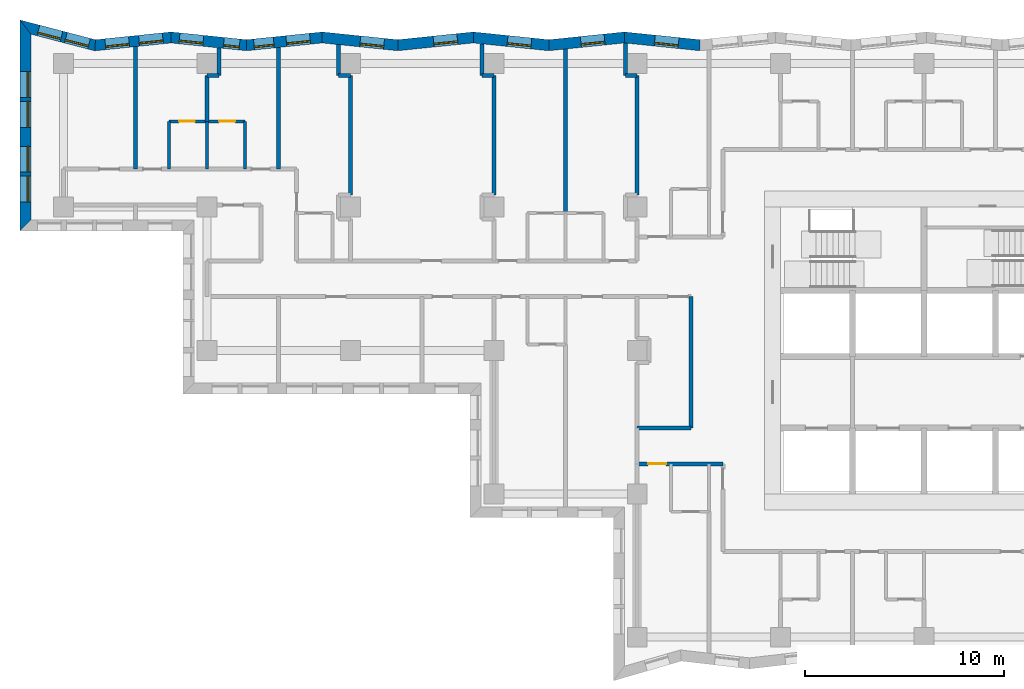
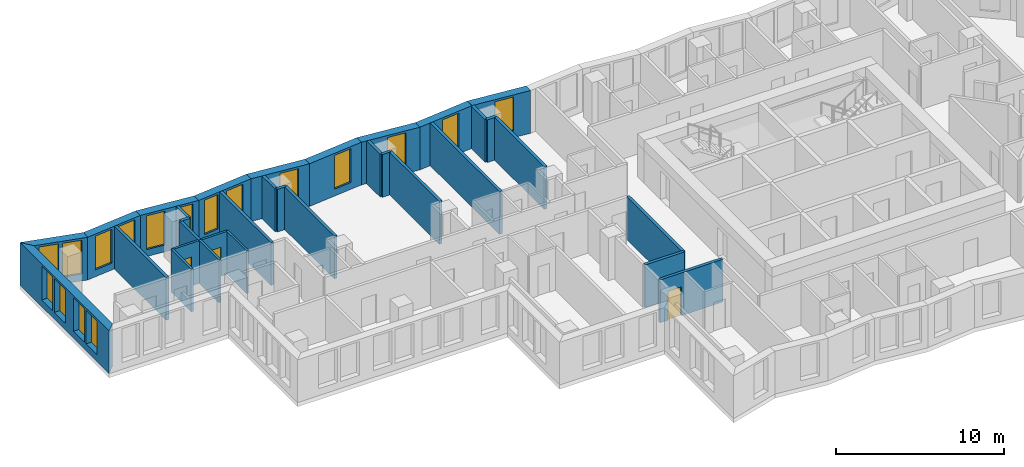
# One storey, part 5 of 13: 32 walls, 17 windows, 3 doors, 20 openings.
"""IFC4 building model written with IfcOpenShell, lengths in metres."""

from ifc_helpers import new_model, si_unit, direction, frame, frame_2d, origin, place, context, subcontext, project, spatial, polyline, rectangle, outline, extrude, material, layer, layer_set, type_object, element, fill, save


model = new_model("IFC4")

# Units and contexts
model_context = context("Model", 3, precision=1e-05, world=origin(), true_north=direction((0.0, 1.0)))
body_context = subcontext(model_context, "Body", "Model", "MODEL_VIEW")
ifc_project = project(units=[si_unit("LENGTHUNIT", "METRE"), si_unit("AREAUNIT", "SQUARE_METRE"), si_unit("VOLUMEUNIT", "CUBIC_METRE"), si_unit("PLANEANGLEUNIT", "RADIAN"), si_unit("MASSUNIT", "GRAM", prefix="KILO")], contexts=[model_context])

# Site, building, storey
site_placement = place(None, origin())
site = spatial("IfcSite", under=ifc_project, at=site_placement, CompositionType="ELEMENT")
building_placement = place(site_placement, origin())
building = spatial("IfcBuilding", under=site, at=building_placement, Name="Windrow Commons", CompositionType="ELEMENT")
storey_placement = place(building_placement, frame((0.0, 0.0, 91.4)))
storey = spatial("IfcBuildingStorey", under=building, at=storey_placement, Name="L24", CompositionType="ELEMENT", Elevation=91.4)

# Wall, opening, window
ifc_material_1 = material(Name="Brick masonry, red clay brick", Category="masonry")
ifc_layer_1 = layer(ifc_material_1, 0.55)
ifc_layer_set_1 = layer_set([ifc_layer_1], Name="Brick facade wall 550")
wall_type_1 = type_object("IfcWallType", Name="Brick facade wall 550", PredefinedType="SOLIDWALL", material=ifc_layer_set_1)
wall_1_placement = place(storey_placement, frame((53.552, 72.9235, 0.0), z_axis=(0.0, 0.0, 1.0), x_axis=(-0.9947306832, 0.1025225234, 0.0)))
wall_1 = element("IfcWall", 1, at=wall_1_placement, inside=storey, type_object=wall_type_1, Name="Brick facade wall L24 28", PredefinedType="SOLIDWALL", context=body_context, shape_type="SweptSolid", body=[
    extrude(outline(polyline([(0.0283, -0.275), (3.8421, -0.275), (3.7854, 0.275), (-0.0283, 0.275), (0.0283, -0.275)])), origin(), (0.0, 0.0, 1.0), 3.1),
])
opening_1_placement = place(wall_1_placement, frame((1.0843, 0.0, 0.5)))
opening_1 = element("IfcOpeningElement", 2, at=opening_1_placement, cuts=wall_1, Name="Opening W7D", PredefinedType="OPENING", context=body_context, shape_type="SweptSolid", body=[
    extrude(rectangle(XDim=1.2, YDim=2.45, at=frame_2d((0.6, 1.225))), frame((0.0, 0.285, 0.0), z_axis=(0.0, -1.0, 0.0), x_axis=(1.0, 0.0, 0.0)), (0.0, 0.0, 1.0), 0.57),
])
ifc_material_2 = material(Name="Clear float glass in anodised aluminium frame", Category="aluminium")
window_type_1 = type_object("IfcWindowType", Name="Window W7 notch 1200x2450", PartitioningType="SINGLE_PANEL", PredefinedType="WINDOW", material=ifc_material_2)
window_1_placement = place(opening_1_placement, origin())
window_1 = element("IfcWindow", 3, at=window_1_placement, inside=storey, type_object=window_type_1, Name="Window L24 28.1", OverallHeight=2.45, OverallWidth=1.2, PartitioningType="SINGLE_PANEL", PredefinedType="WINDOW", context=body_context, shape_type="SweptSolid", body=[
    extrude(rectangle(XDim=1.2, YDim=2.45, at=frame_2d((0.6, 1.225))), frame((0.0, 0.155, 0.0), z_axis=(0.0, -1.0, 0.0), x_axis=(1.0, 0.0, 0.0)), (0.0, 0.0, 1.0), 0.06),
])
fill(opening_1, window_1)

wall_2_placement = place(storey_placement, frame((49.7583, 73.3145, 0.0), z_axis=(0.0, 0.0, 1.0), x_axis=(-0.9947306832, -0.1025225234, 0.0)))
wall_2 = element("IfcWall", 4, at=wall_2_placement, inside=storey, type_object=wall_type_1, Name="Brick facade wall L24 29", PredefinedType="SOLIDWALL", context=body_context, shape_type="SweptSolid", body=[
    extrude(outline(polyline([(-0.0283, -0.275), (3.7854, -0.275), (3.8421, 0.275), (0.0283, 0.275), (-0.0283, -0.275)])), origin(), (0.0, 0.0, 1.0), 3.1),
])
opening_2_placement = place(wall_2_placement, frame((1.0012, 0.0, 0.5)))
opening_2 = element("IfcOpeningElement", 5, at=opening_2_placement, cuts=wall_2, Name="Opening W7D", PredefinedType="OPENING", context=body_context, shape_type="SweptSolid", body=[
    extrude(rectangle(XDim=1.2, YDim=2.45, at=frame_2d((0.6, 1.225))), frame((0.0, 0.285, 0.0), z_axis=(0.0, -1.0, 0.0), x_axis=(1.0, 0.0, 0.0)), (0.0, 0.0, 1.0), 0.57),
])
window_2_placement = place(opening_2_placement, origin())
window_2 = element("IfcWindow", 6, at=window_2_placement, inside=storey, type_object=window_type_1, Name="Window L24 29.1", OverallHeight=2.45, OverallWidth=1.2, PartitioningType="SINGLE_PANEL", PredefinedType="WINDOW", context=body_context, shape_type="SweptSolid", body=[
    extrude(rectangle(XDim=1.2, YDim=2.45, at=frame_2d((0.6, 1.225))), frame((0.0, 0.155, 0.0), z_axis=(0.0, -1.0, 0.0), x_axis=(1.0, 0.0, 0.0)), (0.0, 0.0, 1.0), 0.06),
])
fill(opening_2, window_2)

wall_3_placement = place(storey_placement, frame((45.9646, 72.9235, 0.0), z_axis=(0.0, 0.0, 1.0), x_axis=(-0.9947304076, 0.1025251975, 0.0)))
wall_3 = element("IfcWall", 7, at=wall_3_placement, inside=storey, type_object=wall_type_1, Name="Brick facade wall L24 30", PredefinedType="SOLIDWALL", context=body_context, shape_type="SweptSolid", body=[
    extrude(outline(polyline([(0.0283, -0.275), (3.8421, -0.275), (3.7854, 0.275), (-0.0283, 0.275), (0.0283, -0.275)])), origin(), (0.0, 0.0, 1.0), 3.1),
])
opening_3_placement = place(wall_3_placement, frame((0.8896, 0.0, 0.5)))
opening_3 = element("IfcOpeningElement", 8, at=opening_3_placement, cuts=wall_3, Name="Opening W7D", PredefinedType="OPENING", context=body_context, shape_type="SweptSolid", body=[
    extrude(rectangle(XDim=1.2, YDim=2.45, at=frame_2d((0.6, 1.225))), frame((0.0, 0.285, 0.0), z_axis=(0.0, -1.0, 0.0), x_axis=(1.0, 0.0, 0.0)), (0.0, 0.0, 1.0), 0.57),
])
window_3_placement = place(opening_3_placement, origin())
window_3 = element("IfcWindow", 9, at=window_3_placement, inside=storey, type_object=window_type_1, Name="Window L24 30.1", OverallHeight=2.45, OverallWidth=1.2, PartitioningType="SINGLE_PANEL", PredefinedType="WINDOW", context=body_context, shape_type="SweptSolid", body=[
    extrude(rectangle(XDim=1.2, YDim=2.45, at=frame_2d((0.6, 1.225))), frame((0.0, 0.155, 0.0), z_axis=(0.0, -1.0, 0.0), x_axis=(1.0, 0.0, 0.0)), (0.0, 0.0, 1.0), 0.06),
])
fill(opening_3, window_3)

wall_4_placement = place(storey_placement, frame((42.171, 73.3145, 0.0), z_axis=(0.0, 0.0, 1.0), x_axis=(-0.9947306832, -0.1025225234, 0.0)))
wall_4 = element("IfcWall", 10, at=wall_4_placement, inside=storey, type_object=wall_type_1, Name="Brick facade wall L24 31", PredefinedType="SOLIDWALL", context=body_context, shape_type="SweptSolid", body=[
    extrude(outline(polyline([(-0.0283, -0.275), (3.7854, -0.275), (3.8421, 0.275), (0.0283, 0.275), (-0.0283, -0.275)])), origin(), (0.0, 0.0, 1.0), 3.1),
])
opening_4_placement = place(wall_4_placement, frame((0.8065, 0.0, 0.5)))
opening_4 = element("IfcOpeningElement", 11, at=opening_4_placement, cuts=wall_4, Name="Opening W7D", PredefinedType="OPENING", context=body_context, shape_type="SweptSolid", body=[
    extrude(rectangle(XDim=1.2, YDim=2.45, at=frame_2d((0.6, 1.225))), frame((0.0, 0.285, 0.0), z_axis=(0.0, -1.0, 0.0), x_axis=(1.0, 0.0, 0.0)), (0.0, 0.0, 1.0), 0.57),
])
window_4_placement = place(opening_4_placement, origin())
window_4 = element("IfcWindow", 12, at=window_4_placement, inside=storey, type_object=window_type_1, Name="Window L24 31.1", OverallHeight=2.45, OverallWidth=1.2, PartitioningType="SINGLE_PANEL", PredefinedType="WINDOW", context=body_context, shape_type="SweptSolid", body=[
    extrude(rectangle(XDim=1.2, YDim=2.45, at=frame_2d((0.6, 1.225))), frame((0.0, 0.155, 0.0), z_axis=(0.0, -1.0, 0.0), x_axis=(1.0, 0.0, 0.0)), (0.0, 0.0, 1.0), 0.06),
])
fill(opening_4, window_4)

wall_5_placement = place(storey_placement, frame((38.3773, 72.9235, 0.0), z_axis=(0.0, 0.0, 1.0), x_axis=(-0.9947306832, 0.1025225234, 0.0)))
wall_5 = element("IfcWall", 13, at=wall_5_placement, inside=storey, type_object=wall_type_1, Name="Brick facade wall L24 32", PredefinedType="SOLIDWALL", context=body_context, shape_type="SweptSolid", body=[
    extrude(outline(polyline([(0.0283, -0.275), (3.8421, -0.275), (3.7854, 0.275), (-0.0283, 0.275), (0.0283, -0.275)])), origin(), (0.0, 0.0, 1.0), 3.1),
])
opening_5_placement = place(wall_5_placement, frame((0.695, 0.0, 0.5)))
opening_5 = element("IfcOpeningElement", 14, at=opening_5_placement, cuts=wall_5, Name="Opening W7D", PredefinedType="OPENING", context=body_context, shape_type="SweptSolid", body=[
    extrude(rectangle(XDim=1.2, YDim=2.45, at=frame_2d((0.6, 1.225))), frame((0.0, 0.285, 0.0), z_axis=(0.0, -1.0, 0.0), x_axis=(1.0, 0.0, 0.0)), (0.0, 0.0, 1.0), 0.57),
])
window_5_placement = place(opening_5_placement, origin())
window_5 = element("IfcWindow", 15, at=window_5_placement, inside=storey, type_object=window_type_1, Name="Window L24 32.1", OverallHeight=2.45, OverallWidth=1.2, PartitioningType="SINGLE_PANEL", PredefinedType="WINDOW", context=body_context, shape_type="SweptSolid", body=[
    extrude(rectangle(XDim=1.2, YDim=2.45, at=frame_2d((0.6, 1.225))), frame((0.0, 0.155, 0.0), z_axis=(0.0, -1.0, 0.0), x_axis=(1.0, 0.0, 0.0)), (0.0, 0.0, 1.0), 0.06),
])
fill(opening_5, window_5)

# Wall, openings, windows
wall_6_placement = place(storey_placement, frame((34.5836, 73.3145, 0.0), z_axis=(0.0, 0.0, 1.0), x_axis=(-0.9947304076, -0.1025251975, 0.0)))
wall_6 = element("IfcWall", 16, at=wall_6_placement, inside=storey, type_object=wall_type_1, Name="Brick facade wall L24 33", PredefinedType="SOLIDWALL", context=body_context, shape_type="SweptSolid", body=[
    extrude(outline(polyline([(-0.0283, -0.275), (3.7854, -0.275), (3.8421, 0.275), (0.0283, 0.275), (-0.0283, -0.275)])), origin(), (0.0, 0.0, 1.0), 3.1),
])
opening_6_placement = place(wall_6_placement, frame((0.6118, 0.0, 0.5)))
opening_6 = element("IfcOpeningElement", 17, at=opening_6_placement, cuts=wall_6, Name="Opening W7D", PredefinedType="OPENING", context=body_context, shape_type="SweptSolid", body=[
    extrude(rectangle(XDim=1.2, YDim=2.45, at=frame_2d((0.6, 1.225))), frame((0.0, 0.285, 0.0), z_axis=(0.0, -1.0, 0.0), x_axis=(1.0, 0.0, 0.0)), (0.0, 0.0, 1.0), 0.57),
])
opening_7_placement = place(wall_6_placement, frame((2.4439, 0.0, 0.45)))
opening_7 = element("IfcOpeningElement", 18, at=opening_7_placement, cuts=wall_6, Name="Opening W1S", PredefinedType="OPENING", context=body_context, shape_type="SweptSolid", body=[
    extrude(rectangle(XDim=1.0, YDim=2.5, at=frame_2d((0.5, 1.25))), frame((0.0, 0.285, 0.0), z_axis=(0.0, -1.0, 0.0), x_axis=(1.0, 0.0, 0.0)), (0.0, 0.0, 1.0), 0.57),
])
ifc_material_3 = material(Name="Clear float glass in anodised aluminium frame", Category="aluminium")
window_type_2 = type_object("IfcWindowType", Name="Window W1S slit 1000x2500", PartitioningType="SINGLE_PANEL", PredefinedType="WINDOW", material=ifc_material_3)
window_6_placement = place(opening_7_placement, origin())
window_6 = element("IfcWindow", 19, at=window_6_placement, inside=storey, type_object=window_type_2, Name="Window L24 33.2A", OverallHeight=2.5, OverallWidth=1.0, PartitioningType="SINGLE_PANEL", PredefinedType="WINDOW", context=body_context, shape_type="SweptSolid", body=[
    extrude(rectangle(XDim=1.0, YDim=2.5, at=frame_2d((0.5, 1.25))), frame((0.0, 0.155, 0.0), z_axis=(0.0, -1.0, 0.0), x_axis=(1.0, 0.0, 0.0)), (0.0, 0.0, 1.0), 0.06),
])
fill(opening_7, window_6)
window_7_placement = place(opening_6_placement, origin())
window_7 = element("IfcWindow", 20, at=window_7_placement, inside=storey, type_object=window_type_1, Name="Window L24 33.1", OverallHeight=2.45, OverallWidth=1.2, PartitioningType="SINGLE_PANEL", PredefinedType="WINDOW", context=body_context, shape_type="SweptSolid", body=[
    extrude(rectangle(XDim=1.2, YDim=2.45, at=frame_2d((0.6, 1.225))), frame((0.0, 0.155, 0.0), z_axis=(0.0, -1.0, 0.0), x_axis=(1.0, 0.0, 0.0)), (0.0, 0.0, 1.0), 0.06),
])
fill(opening_6, window_7)

wall_7_placement = place(storey_placement, frame((30.79, 72.9235, 0.0), z_axis=(0.0, 0.0, 1.0), x_axis=(-0.9947306832, 0.1025225234, 0.0)))
wall_7 = element("IfcWall", 21, at=wall_7_placement, inside=storey, type_object=wall_type_1, Name="Brick facade wall L24 34", PredefinedType="SOLIDWALL", context=body_context, shape_type="SweptSolid", body=[
    extrude(outline(polyline([(0.0283, -0.275), (3.8421, -0.275), (3.7854, 0.275), (-0.0283, 0.275), (0.0283, -0.275)])), origin(), (0.0, 0.0, 1.0), 3.1),
])
opening_8_placement = place(wall_7_placement, frame((2.193, 0.0, 0.5)))
opening_8 = element("IfcOpeningElement", 22, at=opening_8_placement, cuts=wall_7, Name="Opening W7D", PredefinedType="OPENING", context=body_context, shape_type="SweptSolid", body=[
    extrude(rectangle(XDim=1.2, YDim=2.45, at=frame_2d((0.6, 1.225))), frame((0.0, 0.285, 0.0), z_axis=(0.0, -1.0, 0.0), x_axis=(1.0, 0.0, 0.0)), (0.0, 0.0, 1.0), 0.57),
])
opening_9_placement = place(wall_7_placement, frame((0.3595, 0.0, 0.45)))
opening_9 = element("IfcOpeningElement", 23, at=opening_9_placement, cuts=wall_7, Name="Opening W1N", PredefinedType="OPENING", context=body_context, shape_type="SweptSolid", body=[
    extrude(rectangle(XDim=0.8, YDim=2.5, at=frame_2d((0.4, 1.25))), frame((0.0, 0.285, 0.0), z_axis=(0.0, -1.0, 0.0), x_axis=(1.0, 0.0, 0.0)), (0.0, 0.0, 1.0), 0.57),
])
ifc_material_4 = material(Name="Clear float glass in anodised aluminium frame", Category="aluminium")
window_type_3 = type_object("IfcWindowType", Name="Window W1N slit 800x2500", PartitioningType="SINGLE_PANEL", PredefinedType="WINDOW", material=ifc_material_4)
window_8_placement = place(opening_9_placement, origin())
window_8 = element("IfcWindow", 24, at=window_8_placement, inside=storey, type_object=window_type_3, Name="Window L24 34.1A", OverallHeight=2.5, OverallWidth=0.8, PartitioningType="SINGLE_PANEL", PredefinedType="WINDOW", context=body_context, shape_type="SweptSolid", body=[
    extrude(rectangle(XDim=0.8, YDim=2.5, at=frame_2d((0.4, 1.25))), frame((0.0, 0.155, 0.0), z_axis=(0.0, -1.0, 0.0), x_axis=(1.0, 0.0, 0.0)), (0.0, 0.0, 1.0), 0.06),
])
fill(opening_9, window_8)
window_9_placement = place(opening_8_placement, origin())
window_9 = element("IfcWindow", 25, at=window_9_placement, inside=storey, type_object=window_type_1, Name="Window L24 34.2", OverallHeight=2.45, OverallWidth=1.2, PartitioningType="SINGLE_PANEL", PredefinedType="WINDOW", context=body_context, shape_type="SweptSolid", body=[
    extrude(rectangle(XDim=1.2, YDim=2.45, at=frame_2d((0.6, 1.225))), frame((0.0, 0.155, 0.0), z_axis=(0.0, -1.0, 0.0), x_axis=(1.0, 0.0, 0.0)), (0.0, 0.0, 1.0), 0.06),
])
fill(opening_8, window_9)

wall_8_placement = place(storey_placement, frame((26.9963, 73.3145, 0.0), z_axis=(0.0, 0.0, 1.0), x_axis=(-0.9947305582, -0.1025237367, 0.0)))
wall_8 = element("IfcWall", 26, at=wall_8_placement, inside=storey, type_object=wall_type_1, Name="Brick facade wall L24 35", PredefinedType="SOLIDWALL", context=body_context, shape_type="SweptSolid", body=[
    extrude(outline(polyline([(-0.0283, -0.275), (3.7854, -0.275), (3.885, 0.275), (0.0283, 0.275), (-0.0283, -0.275)])), origin(), (0.0, 0.0, 1.0), 3.1),
])
opening_10_placement = place(wall_8_placement, frame((0.4171, 0.0, 0.5)))
opening_10 = element("IfcOpeningElement", 27, at=opening_10_placement, cuts=wall_8, Name="Opening W7D", PredefinedType="OPENING", context=body_context, shape_type="SweptSolid", body=[
    extrude(rectangle(XDim=1.2, YDim=2.45, at=frame_2d((0.6, 1.225))), frame((0.0, 0.285, 0.0), z_axis=(0.0, -1.0, 0.0), x_axis=(1.0, 0.0, 0.0)), (0.0, 0.0, 1.0), 0.57),
])
opening_11_placement = place(wall_8_placement, frame((2.1205, 0.0, 0.5)))
opening_11 = element("IfcOpeningElement", 28, at=opening_11_placement, cuts=wall_8, Name="Opening W7D", PredefinedType="OPENING", context=body_context, shape_type="SweptSolid", body=[
    extrude(rectangle(XDim=1.2, YDim=2.45, at=frame_2d((0.6, 1.225))), frame((0.0, 0.285, 0.0), z_axis=(0.0, -1.0, 0.0), x_axis=(1.0, 0.0, 0.0)), (0.0, 0.0, 1.0), 0.57),
])
window_10_placement = place(opening_10_placement, origin())
window_10 = element("IfcWindow", 29, at=window_10_placement, inside=storey, type_object=window_type_1, Name="Window L24 35.1", OverallHeight=2.45, OverallWidth=1.2, PartitioningType="SINGLE_PANEL", PredefinedType="WINDOW", context=body_context, shape_type="SweptSolid", body=[
    extrude(rectangle(XDim=1.2, YDim=2.45, at=frame_2d((0.6, 1.225))), frame((0.0, 0.155, 0.0), z_axis=(0.0, -1.0, 0.0), x_axis=(1.0, 0.0, 0.0)), (0.0, 0.0, 1.0), 0.06),
])
fill(opening_10, window_10)
window_11_placement = place(opening_11_placement, origin())
window_11 = element("IfcWindow", 30, at=window_11_placement, inside=storey, type_object=window_type_1, Name="Window L24 35.2", OverallHeight=2.45, OverallWidth=1.2, PartitioningType="SINGLE_PANEL", PredefinedType="WINDOW", context=body_context, shape_type="SweptSolid", body=[
    extrude(rectangle(XDim=1.2, YDim=2.45, at=frame_2d((0.6, 1.225))), frame((0.0, 0.155, 0.0), z_axis=(0.0, -1.0, 0.0), x_axis=(1.0, 0.0, 0.0)), (0.0, 0.0, 1.0), 0.06),
])
fill(opening_11, window_11)

wall_9_placement = place(storey_placement, frame((23.1813, 72.9213, 0.0), z_axis=(0.0, 0.0, 1.0), x_axis=(-0.9675320185, 0.252748478, 0.0)))
wall_9 = element("IfcWall", 31, at=wall_9_placement, inside=storey, type_object=wall_type_1, Name="Brick facade wall L24 36", PredefinedType="SOLIDWALL", context=body_context, shape_type="SweptSolid", body=[
    extrude(outline(polyline([(0.0498, -0.275), (3.9708, -0.275), (3.2586, 0.275), (-0.0498, 0.275), (0.0498, -0.275)])), origin(), (0.0, 0.0, 1.0), 3.1),
])
opening_12_placement = place(wall_9_placement, frame((0.3172, 0.0, 0.5)))
opening_12 = element("IfcOpeningElement", 32, at=opening_12_placement, cuts=wall_9, Name="Opening W7D", PredefinedType="OPENING", context=body_context, shape_type="SweptSolid", body=[
    extrude(rectangle(XDim=1.2, YDim=2.45, at=frame_2d((0.6, 1.225))), frame((0.0, 0.285, 0.0), z_axis=(0.0, -1.0, 0.0), x_axis=(1.0, 0.0, 0.0)), (0.0, 0.0, 1.0), 0.57),
])
opening_13_placement = place(wall_9_placement, frame((1.7465, 0.0, 0.5)))
opening_13 = element("IfcOpeningElement", 33, at=opening_13_placement, cuts=wall_9, Name="Opening W7D", PredefinedType="OPENING", context=body_context, shape_type="SweptSolid", body=[
    extrude(rectangle(XDim=1.2, YDim=2.45, at=frame_2d((0.6, 1.225))), frame((0.0, 0.285, 0.0), z_axis=(0.0, -1.0, 0.0), x_axis=(1.0, 0.0, 0.0)), (0.0, 0.0, 1.0), 0.57),
])
window_12_placement = place(opening_12_placement, origin())
window_12 = element("IfcWindow", 34, at=window_12_placement, inside=storey, type_object=window_type_1, Name="Window L24 36.1", OverallHeight=2.45, OverallWidth=1.2, PartitioningType="SINGLE_PANEL", PredefinedType="WINDOW", context=body_context, shape_type="SweptSolid", body=[
    extrude(rectangle(XDim=1.2, YDim=2.45, at=frame_2d((0.6, 1.225))), frame((0.0, 0.155, 0.0), z_axis=(0.0, -1.0, 0.0), x_axis=(1.0, 0.0, 0.0)), (0.0, 0.0, 1.0), 0.06),
])
fill(opening_12, window_12)
window_13_placement = place(opening_13_placement, origin())
window_13 = element("IfcWindow", 35, at=window_13_placement, inside=storey, type_object=window_type_1, Name="Window L24 36.2", OverallHeight=2.45, OverallWidth=1.2, PartitioningType="SINGLE_PANEL", PredefinedType="WINDOW", context=body_context, shape_type="SweptSolid", body=[
    extrude(rectangle(XDim=1.2, YDim=2.45, at=frame_2d((0.6, 1.225))), frame((0.0, 0.155, 0.0), z_axis=(0.0, -1.0, 0.0), x_axis=(1.0, 0.0, 0.0)), (0.0, 0.0, 1.0), 0.06),
])
fill(opening_13, window_13)

wall_10_placement = place(storey_placement, frame((19.684, 73.8349, 0.0), z_axis=(0.0, 0.0, 1.0), x_axis=(0.0, -1.0, 0.0)))
wall_10 = element("IfcWall", 36, at=wall_10_placement, inside=storey, type_object=wall_type_1, Name="Brick facade wall L24 37", PredefinedType="SOLIDWALL", context=body_context, shape_type="SweptSolid", body=[
    extrude(outline(polyline([(-0.3561, -0.275), (10.2349, -0.275), (9.6849, 0.275), (0.3561, 0.275), (-0.3561, -0.275)])), origin(), (0.0, 0.0, 1.0), 3.1),
])
opening_14_placement = place(wall_10_placement, frame((2.2349, 0.0, 0.5)))
opening_14 = element("IfcOpeningElement", 37, at=opening_14_placement, cuts=wall_10, Name="Opening W1P", PredefinedType="OPENING", context=body_context, shape_type="SweptSolid", body=[
    extrude(rectangle(XDim=1.3, YDim=2.45, at=frame_2d((0.65, 1.225))), frame((0.0, 0.285, 0.0), z_axis=(0.0, -1.0, 0.0), x_axis=(1.0, 0.0, 0.0)), (0.0, 0.0, 1.0), 0.57),
])
opening_15_placement = place(wall_10_placement, frame((3.7349, 0.0, 0.5)))
opening_15 = element("IfcOpeningElement", 38, at=opening_15_placement, cuts=wall_10, Name="Opening W1P", PredefinedType="OPENING", context=body_context, shape_type="SweptSolid", body=[
    extrude(rectangle(XDim=1.3, YDim=2.45, at=frame_2d((0.65, 1.225))), frame((0.0, 0.285, 0.0), z_axis=(0.0, -1.0, 0.0), x_axis=(1.0, 0.0, 0.0)), (0.0, 0.0, 1.0), 0.57),
])
opening_16_placement = place(wall_10_placement, frame((5.9849, 0.0, 0.5)))
opening_16 = element("IfcOpeningElement", 39, at=opening_16_placement, cuts=wall_10, Name="Opening W1P", PredefinedType="OPENING", context=body_context, shape_type="SweptSolid", body=[
    extrude(rectangle(XDim=1.3, YDim=2.45, at=frame_2d((0.65, 1.225))), frame((0.0, 0.285, 0.0), z_axis=(0.0, -1.0, 0.0), x_axis=(1.0, 0.0, 0.0)), (0.0, 0.0, 1.0), 0.57),
])
opening_17_placement = place(wall_10_placement, frame((7.4849, 0.0, 0.5)))
opening_17 = element("IfcOpeningElement", 40, at=opening_17_placement, cuts=wall_10, Name="Opening W1P", PredefinedType="OPENING", context=body_context, shape_type="SweptSolid", body=[
    extrude(rectangle(XDim=1.3, YDim=2.45, at=frame_2d((0.65, 1.225))), frame((0.0, 0.285, 0.0), z_axis=(0.0, -1.0, 0.0), x_axis=(1.0, 0.0, 0.0)), (0.0, 0.0, 1.0), 0.57),
])
ifc_material_5 = material(Name="Clear float glass in anodised aluminium frame", Category="aluminium")
window_type_4 = type_object("IfcWindowType", Name="Window W1P pair 1300x2450", PartitioningType="SINGLE_PANEL", PredefinedType="WINDOW", material=ifc_material_5)
window_14_placement = place(opening_14_placement, origin())
window_14 = element("IfcWindow", 41, at=window_14_placement, inside=storey, type_object=window_type_4, Name="Window L24 37.1A", OverallHeight=2.45, OverallWidth=1.3, PartitioningType="SINGLE_PANEL", PredefinedType="WINDOW", context=body_context, shape_type="SweptSolid", body=[
    extrude(rectangle(XDim=1.3, YDim=2.45, at=frame_2d((0.65, 1.225))), frame((0.0, 0.155, 0.0), z_axis=(0.0, -1.0, 0.0), x_axis=(1.0, 0.0, 0.0)), (0.0, 0.0, 1.0), 0.06),
])
fill(opening_14, window_14)
window_15_placement = place(opening_15_placement, origin())
window_15 = element("IfcWindow", 42, at=window_15_placement, inside=storey, type_object=window_type_4, Name="Window L24 37.1B", OverallHeight=2.45, OverallWidth=1.3, PartitioningType="SINGLE_PANEL", PredefinedType="WINDOW", context=body_context, shape_type="SweptSolid", body=[
    extrude(rectangle(XDim=1.3, YDim=2.45, at=frame_2d((0.65, 1.225))), frame((0.0, 0.155, 0.0), z_axis=(0.0, -1.0, 0.0), x_axis=(1.0, 0.0, 0.0)), (0.0, 0.0, 1.0), 0.06),
])
fill(opening_15, window_15)
window_16_placement = place(opening_16_placement, origin())
window_16 = element("IfcWindow", 43, at=window_16_placement, inside=storey, type_object=window_type_4, Name="Window L24 37.2A", OverallHeight=2.45, OverallWidth=1.3, PartitioningType="SINGLE_PANEL", PredefinedType="WINDOW", context=body_context, shape_type="SweptSolid", body=[
    extrude(rectangle(XDim=1.3, YDim=2.45, at=frame_2d((0.65, 1.225))), frame((0.0, 0.155, 0.0), z_axis=(0.0, -1.0, 0.0), x_axis=(1.0, 0.0, 0.0)), (0.0, 0.0, 1.0), 0.06),
])
fill(opening_16, window_16)
window_17_placement = place(opening_17_placement, origin())
window_17 = element("IfcWindow", 44, at=window_17_placement, inside=storey, type_object=window_type_4, Name="Window L24 37.2B", OverallHeight=2.45, OverallWidth=1.3, PartitioningType="SINGLE_PANEL", PredefinedType="WINDOW", context=body_context, shape_type="SweptSolid", body=[
    extrude(rectangle(XDim=1.3, YDim=2.45, at=frame_2d((0.65, 1.225))), frame((0.0, 0.155, 0.0), z_axis=(0.0, -1.0, 0.0), x_axis=(1.0, 0.0, 0.0)), (0.0, 0.0, 1.0), 0.06),
])
fill(opening_17, window_17)

# Wall
ifc_material_6 = material(Name="Blockwork partition", Category="masonry")
ifc_layer_2 = layer(ifc_material_6, 0.2)
ifc_layer_set_2 = layer_set([ifc_layer_2], Name="IW-CORRIDOR-200")
wall_type_2 = type_object("IfcWallType", Name="IW-CORRIDOR-200", PredefinedType="PARTITIONING", material=ifc_layer_set_2)
wall_11_placement = place(storey_placement, frame((53.1, 53.7, 0.0), z_axis=(0.0, 0.0, 1.0), x_axis=(0.0, 1.0, 0.0)))
element("IfcWall", 45, at=wall_11_placement, inside=storey, type_object=wall_type_2, Name="W-L24-W024", PredefinedType="PARTITIONING", context=body_context, shape_type="SweptSolid", body=[
    extrude(rectangle(XDim=6.6, YDim=0.2, at=frame_2d((3.3, 0.0))), origin(), (0.0, 0.0, 1.0), 3.1),
])

# Wall, opening, door
wall_12_placement = place(storey_placement, frame((50.4, 51.9, 0.0), z_axis=(0.0, 0.0, 1.0), x_axis=(1.0, 0.0, 0.0)))
wall_12 = element("IfcWall", 46, at=wall_12_placement, inside=storey, type_object=wall_type_2, Name="W-L24-W049", PredefinedType="PARTITIONING", context=body_context, shape_type="SweptSolid", body=[
    extrude(rectangle(XDim=4.3, YDim=0.2, at=frame_2d((2.15, 0.0))), origin(), (0.0, 0.0, 1.0), 3.1),
])
opening_18_placement = place(wall_12_placement, frame((0.5517, 0.0, 0.0)))
opening_18 = element("IfcOpeningElement", 47, at=opening_18_placement, cuts=wall_12, Name="Opening D109S", PredefinedType="OPENING", context=body_context, shape_type="SweptSolid", body=[
    extrude(rectangle(XDim=0.9, YDim=2.1, at=frame_2d((0.45, 1.05))), frame((0.0, 0.11, 0.0), z_axis=(0.0, -1.0, 0.0), x_axis=(1.0, 0.0, 0.0)), (0.0, 0.0, 1.0), 0.22),
])
ifc_material_7 = material(Name="Timber door leaf", Category="wood")
door_type_1 = type_object("IfcDoorType", Name="DT-BEDROOM-900", OperationType="SINGLE_SWING_LEFT", PredefinedType="DOOR", material=ifc_material_7)
door_1_placement = place(opening_18_placement, origin())
door_1 = element("IfcDoor", 48, at=door_1_placement, inside=storey, type_object=door_type_1, Name="D-L24-D026", OperationType="SINGLE_SWING_LEFT", OverallHeight=2.1, OverallWidth=0.9, PredefinedType="DOOR", context=body_context, shape_type="SweptSolid", body=[
    extrude(rectangle(XDim=0.9, YDim=2.1, at=frame_2d((0.45, 1.05))), frame((0.0, 0.025, 0.0), z_axis=(0.0, -1.0, 0.0), x_axis=(1.0, 0.0, 0.0)), (0.0, 0.0, 1.0), 0.05),
])
fill(opening_18, door_1)

# Wall
wall_13_placement = place(storey_placement, frame((50.4, 53.7, 0.0), z_axis=(0.0, 0.0, 1.0), x_axis=(1.0, 0.0, 0.0)))
element("IfcWall", 49, at=wall_13_placement, inside=storey, type_object=wall_type_2, Name="W-L24-W066", PredefinedType="PARTITIONING", context=body_context, shape_type="SweptSolid", body=[
    extrude(rectangle(XDim=2.7, YDim=0.2, at=frame_2d((1.35, 0.0))), origin(), (0.0, 0.0, 1.0), 3.1),
])

# Wall, openings, doors
ifc_material_8 = material(Name="Blockwork partition", Category="masonry")
ifc_layer_3 = layer(ifc_material_8, 0.15)
ifc_layer_set_3 = layer_set([ifc_layer_3], Name="IW-ENSUITE-150")
wall_type_3 = type_object("IfcWallType", Name="IW-ENSUITE-150", PredefinedType="PARTITIONING", material=ifc_layer_set_3)
wall_14_placement = place(storey_placement, frame((26.9, 69.1, 0.0), z_axis=(0.0, 0.0, 1.0), x_axis=(1.0, 0.0, 0.0)))
wall_14 = element("IfcWall", 50, at=wall_14_placement, inside=storey, type_object=wall_type_3, Name="W-L24-W056", PredefinedType="PARTITIONING", context=body_context, shape_type="SweptSolid", body=[
    extrude(rectangle(XDim=3.8, YDim=0.15, at=frame_2d((1.9, 0.0))), origin(), (0.0, 0.0, 1.0), 3.1),
])
opening_19_placement = place(wall_14_placement, frame((0.4931, 0.0, 0.0)))
opening_19 = element("IfcOpeningElement", 51, at=opening_19_placement, cuts=wall_14, Name="Opening D208N", PredefinedType="OPENING", context=body_context, shape_type="SweptSolid", body=[
    extrude(rectangle(XDim=0.8, YDim=2.1, at=frame_2d((0.4, 1.05))), frame((0.0, 0.085, 0.0), z_axis=(0.0, -1.0, 0.0), x_axis=(1.0, 0.0, 0.0)), (0.0, 0.0, 1.0), 0.17),
])
opening_20_placement = place(wall_14_placement, frame((2.5069, 0.0, 0.0)))
opening_20 = element("IfcOpeningElement", 52, at=opening_20_placement, cuts=wall_14, Name="Opening D208N", PredefinedType="OPENING", context=body_context, shape_type="SweptSolid", body=[
    extrude(rectangle(XDim=0.8, YDim=2.1, at=frame_2d((0.4, 1.05))), frame((0.0, 0.085, 0.0), z_axis=(0.0, -1.0, 0.0), x_axis=(1.0, 0.0, 0.0)), (0.0, 0.0, 1.0), 0.17),
])
ifc_material_9 = material(Name="Timber door leaf", Category="wood")
door_type_2 = type_object("IfcDoorType", Name="DT-ENSUITE-800", OperationType="SINGLE_SWING_LEFT", PredefinedType="DOOR", material=ifc_material_9)
door_2_placement = place(opening_19_placement, origin())
door_2 = element("IfcDoor", 53, at=door_2_placement, inside=storey, type_object=door_type_2, Name="D-L24-D003", OperationType="SINGLE_SWING_RIGHT", OverallHeight=2.1, OverallWidth=0.8, PredefinedType="DOOR", context=body_context, shape_type="SweptSolid", body=[
    extrude(rectangle(XDim=0.8, YDim=2.1, at=frame_2d((0.4, 1.05))), frame((0.0, 0.025, 0.0), z_axis=(0.0, -1.0, 0.0), x_axis=(1.0, 0.0, 0.0)), (0.0, 0.0, 1.0), 0.05),
])
fill(opening_19, door_2)
door_3_placement = place(opening_20_placement, origin())
door_3 = element("IfcDoor", 54, at=door_3_placement, inside=storey, type_object=door_type_2, Name="D-L24-D005", OperationType="SINGLE_SWING_RIGHT", OverallHeight=2.1, OverallWidth=0.8, PredefinedType="DOOR", context=body_context, shape_type="SweptSolid", body=[
    extrude(rectangle(XDim=0.8, YDim=2.1, at=frame_2d((0.4, 1.05))), frame((0.0, 0.025, 0.0), z_axis=(0.0, -1.0, 0.0), x_axis=(1.0, 0.0, 0.0)), (0.0, 0.0, 1.0), 0.05),
])
fill(opening_20, door_3)

# Walls
for number, where, z_axis, x_axis, name in (
    (55, (26.9, 66.7, 0.0), (0.0, 0.0, 1.0), (0.0, 1.0, 0.0), "W-L24-W089"),
    (56, (28.8, 66.7, 0.0), (0.0, 0.0, 1.0), (0.0, 1.0, 0.0), "W-L24-W090"),
    (57, (30.7, 66.7, 0.0), (0.0, 0.0, 1.0), (0.0, 1.0, 0.0), "W-L24-W091"),
):
    element("IfcWall", number, at=place(storey_placement, frame(where, z_axis=z_axis, x_axis=x_axis)), inside=storey, type_object=wall_type_3, Name=name, PredefinedType="PARTITIONING", context=body_context, shape_type="SweptSolid", body=[
        extrude(rectangle(XDim=2.4, YDim=0.15, at=frame_2d((1.2, 0.0))), origin(), (0.0, 0.0, 1.0), 3.1),
    ])
ifc_material_10 = material(Name="Blockwork partition", Category="masonry")
ifc_layer_4 = layer(ifc_material_10, 0.2)
ifc_layer_set_4 = layer_set([ifc_layer_4], Name="IW-PARTY-200")
wall_type_4 = type_object("IfcWallType", Name="IW-PARTY-200", PredefinedType="PARTITIONING", material=ifc_layer_set_4)
wall_15_placement = place(storey_placement, frame((46.8, 64.5, 0.0), z_axis=(0.0, 0.0, 1.0), x_axis=(0.0, 1.0, 0.0)))
element("IfcWall", 58, at=wall_15_placement, inside=storey, type_object=wall_type_4, Name="W-L24-W014", PredefinedType="PARTITIONING", context=body_context, shape_type="SweptSolid", body=[
    extrude(rectangle(XDim=8.2332, YDim=0.2, at=frame_2d((4.1166, 0.0))), origin(), (0.0, 0.0, 1.0), 3.1),
])
wall_16_placement = place(storey_placement, frame((25.2, 66.7, 0.0), z_axis=(0.0, 0.0, 1.0), x_axis=(0.0, 1.0, 0.0)))
element("IfcWall", 59, at=wall_16_placement, inside=storey, type_object=wall_type_4, Name="W-L24-W030", PredefinedType="PARTITIONING", context=body_context, shape_type="SweptSolid", body=[
    extrude(rectangle(XDim=6.1529, YDim=0.2, at=frame_2d((3.0764, 0.0))), origin(), (0.0, 0.0, 1.0), 3.1),
])
wall_17_placement = place(storey_placement, frame((32.4, 66.7, 0.0), z_axis=(0.0, 0.0, 1.0), x_axis=(0.0, 1.0, 0.0)))
element("IfcWall", 60, at=wall_17_placement, inside=storey, type_object=wall_type_4, Name="W-L24-W031", PredefinedType="PARTITIONING", context=body_context, shape_type="SweptSolid", body=[
    extrude(rectangle(XDim=6.113, YDim=0.2, at=frame_2d((3.0565, 0.0))), origin(), (0.0, 0.0, 1.0), 3.1),
])
for number, where, z_axis, x_axis, name in (
    (61, (36.0, 65.404, 0.0), (0.0, 0.0, 1.0), (0.0, 1.0, 0.0), "W-L24-W033"),
    (62, (43.2, 65.404, 0.0), (0.0, 0.0, 1.0), (0.0, 1.0, 0.0), "W-L24-W034"),
    (63, (50.4, 65.404, 0.0), (0.0, 0.0, 1.0), (0.0, 1.0, 0.0), "W-L24-W035"),
):
    element("IfcWall", number, at=place(storey_placement, frame(where, z_axis=z_axis, x_axis=x_axis)), inside=storey, type_object=wall_type_4, Name=name, PredefinedType="PARTITIONING", context=body_context, shape_type="SweptSolid", body=[
        extrude(rectangle(XDim=5.992, YDim=0.2, at=frame_2d((2.996, 0.0))), origin(), (0.0, 0.0, 1.0), 3.1),
    ])
wall_18_placement = place(storey_placement, frame((28.8, 69.1, 0.0), z_axis=(0.0, 0.0, 1.0), x_axis=(0.0, 1.0, 0.0)))
element("IfcWall", 64, at=wall_18_placement, inside=storey, type_object=wall_type_4, Name="W-L24-W114", PredefinedType="PARTITIONING", context=body_context, shape_type="SweptSolid", body=[
    extrude(rectangle(XDim=2.296, YDim=0.2, at=frame_2d((1.148, 0.0))), origin(), (0.0, 0.0, 1.0), 3.1),
])
wall_19_placement = place(storey_placement, frame((49.8, 71.396, 0.0), z_axis=(0.0, 0.0, 1.0), x_axis=(0.0, 1.0, 0.0)))
element("IfcWall", 65, at=wall_19_placement, inside=storey, type_object=wall_type_4, Name="W-L24-W159", PredefinedType="PARTITIONING", context=body_context, shape_type="SweptSolid", body=[
    extrude(rectangle(XDim=1.6378, YDim=0.2, at=frame_2d((0.8189, 0.0))), origin(), (0.0, 0.0, 1.0), 3.1),
])
wall_20_placement = place(storey_placement, frame((42.6, 71.396, 0.0), z_axis=(0.0, 0.0, 1.0), x_axis=(0.0, 1.0, 0.0)))
element("IfcWall", 66, at=wall_20_placement, inside=storey, type_object=wall_type_4, Name="W-L24-W161", PredefinedType="PARTITIONING", context=body_context, shape_type="SweptSolid", body=[
    extrude(rectangle(XDim=1.5979, YDim=0.2, at=frame_2d((0.799, 0.0))), origin(), (0.0, 0.0, 1.0), 3.1),
])
wall_21_placement = place(storey_placement, frame((35.4, 71.396, 0.0), z_axis=(0.0, 0.0, 1.0), x_axis=(0.0, 1.0, 0.0)))
element("IfcWall", 67, at=wall_21_placement, inside=storey, type_object=wall_type_4, Name="W-L24-W163", PredefinedType="PARTITIONING", context=body_context, shape_type="SweptSolid", body=[
    extrude(rectangle(XDim=1.5579, YDim=0.2, at=frame_2d((0.779, 0.0))), origin(), (0.0, 0.0, 1.0), 3.1),
])
wall_22_placement = place(storey_placement, frame((29.4, 71.396, 0.0), z_axis=(0.0, 0.0, 1.0), x_axis=(0.0, 1.0, 0.0)))
element("IfcWall", 68, at=wall_22_placement, inside=storey, type_object=wall_type_4, Name="W-L24-W173", PredefinedType="PARTITIONING", context=body_context, shape_type="SweptSolid", body=[
    extrude(rectangle(XDim=1.3943, YDim=0.2, at=frame_2d((0.6972, 0.0))), origin(), (0.0, 0.0, 1.0), 3.1),
])
for number, where, z_axis, x_axis, name in (
    (69, (35.4, 71.4, 0.0), (0.0, 0.0, 1.0), (1.0, 0.0, 0.0), "W-L24-W192"),
    (70, (42.6, 71.4, 0.0), (0.0, 0.0, 1.0), (1.0, 0.0, 0.0), "W-L24-W193"),
    (71, (49.8, 71.4, 0.0), (0.0, 0.0, 1.0), (1.0, 0.0, 0.0), "W-L24-W194"),
    (72, (28.8, 71.4, 0.0), (0.0, 0.0, 1.0), (1.0, 0.0, 0.0), "W-L24-W203"),
):
    element("IfcWall", number, at=place(storey_placement, frame(where, z_axis=z_axis, x_axis=x_axis)), inside=storey, type_object=wall_type_4, Name=name, PredefinedType="PARTITIONING", context=body_context, shape_type="SweptSolid", body=[
        extrude(rectangle(XDim=0.6, YDim=0.2, at=frame_2d((0.3, 0.0))), origin(), (0.0, 0.0, 1.0), 3.1),
    ])

save(model, "model.ifc")
